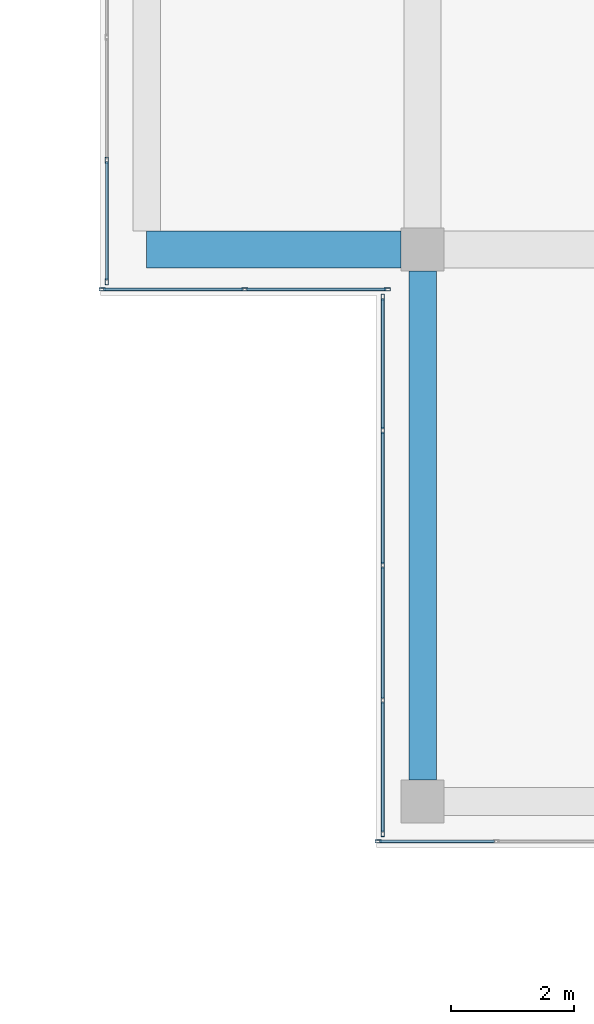
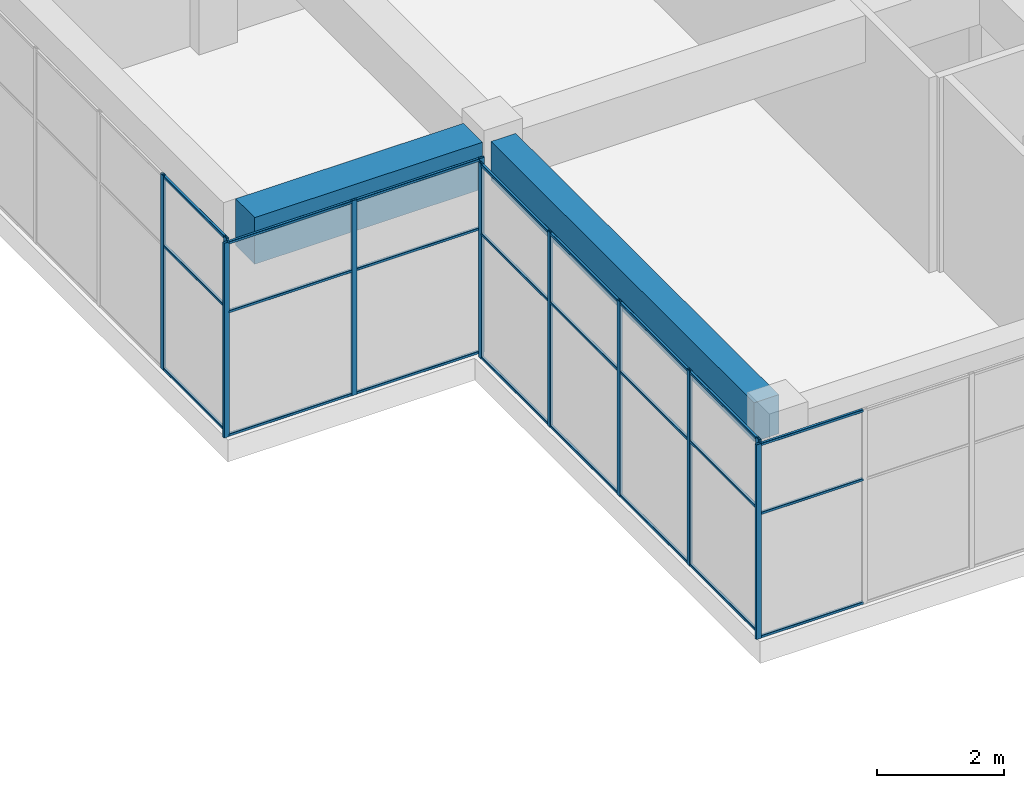
# One storey, part 12 of 49: 35 members, 2 beams, 4 elements without a shape of their own.
"""IFC4 building model written with IfcOpenShell, lengths in metres."""

from ifc_helpers import new_model, si_unit, direction, frame, origin, origin_2d, place, context, subcontext, project, spatial, rectangle, hollow_rectangle, extrude, material, layer, layer_set, material_profile, profile_set, type_object, element, aggregate, save


model = new_model("IFC4")

# Units and contexts
model_context = context("Model", 3, precision=1e-05, world=origin(), true_north=direction((0.0, 1.0)))
body_context = subcontext(model_context, "Body", "Model", "MODEL_VIEW")
ifc_project = project(units=[si_unit("LENGTHUNIT", "METRE"), si_unit("AREAUNIT", "SQUARE_METRE"), si_unit("VOLUMEUNIT", "CUBIC_METRE"), si_unit("PLANEANGLEUNIT", "RADIAN"), si_unit("MASSUNIT", "GRAM", prefix="KILO")], contexts=[model_context])

# Site, building, storey
site_placement = place(None, origin())
site = spatial("IfcSite", under=ifc_project, at=site_placement, CompositionType="ELEMENT")
building_placement = place(site_placement, origin())
building = spatial("IfcBuilding", under=site, at=building_placement, Name="Tuart Plaza Theatre", CompositionType="ELEMENT")
storey_placement = place(building_placement, frame((0.0, 0.0, 29.5)))
storey = spatial("IfcBuildingStorey", under=building, at=storey_placement, Name="L07", CompositionType="ELEMENT", Elevation=29.5)

# Beams
ifc_material_1 = material(Name="Concrete N40 (40 MPa)", Category="concrete")
ifc_material_profile_1 = material_profile(ifc_material_1, rectangle(XDim=0.449951171875, YDim=0.75, at=origin_2d()), Name="BEAM 450x750 Concrete N40 (40 MPa)")
ifc_profile_set_1 = profile_set([ifc_material_profile_1], Name="Concrete N40 (40 MPa)")
beam_type_1 = type_object("IfcBeamType", Name="BEAM 450x750 Concrete N40 (40 MPa)", PredefinedType="BEAM", material=ifc_profile_set_1)
beam_1_placement = place(storey_placement, frame((114.0, 56.35009765625, 3.375), z_axis=(0.0, 1.0, 0.0), x_axis=(-1.0, 0.0, 0.0)))
element("IfcBeam", 1, at=beam_1_placement, inside=storey, type_object=beam_type_1, Name="RB255", PredefinedType="BEAM", context=body_context, shape_type="SweptSolid", body=[
    extrude(rectangle(XDim=0.449951171875, YDim=0.75, at=origin_2d()), origin(), (0.0, 0.0, 1.0), 8.2998046875),
])
ifc_material_2 = material(Name="Concrete N40 (40 MPa)", Category="concrete")
ifc_material_profile_2 = material_profile(ifc_material_2, rectangle(XDim=0.60009765625, YDim=0.89990234375, at=origin_2d()), Name="BEAM 600x900 Concrete N40 (40 MPa)")
ifc_profile_set_2 = profile_set([ifc_material_profile_2], Name="Concrete N40 (40 MPa)")
beam_type_2 = type_object("IfcBeamType", Name="BEAM 600x900 Concrete N40 (40 MPa)", PredefinedType="BEAM", material=ifc_profile_set_2)
beam_2_placement = place(storey_placement, frame((109.5, 65.0, 3.300048828125), z_axis=(1.0, 0.0, 0.0), x_axis=(0.0, 1.0, 0.0)))
element("IfcBeam", 2, at=beam_2_placement, inside=storey, type_object=beam_type_2, Name="RB249", PredefinedType="BEAM", context=body_context, shape_type="SweptSolid", body=[
    extrude(rectangle(XDim=0.60009765625, YDim=0.89990234375, at=origin_2d()), origin(), (0.0, 0.0, 1.0), 4.14990234375),
])

# Curtain wall, member
ifc_material_3 = material(Name="Aluminium and glass", Category="aluminium")
ifc_layer = layer(ifc_material_3, 0.10009765625)
ifc_layer_set = layer_set([ifc_layer], Name="CURTAIN WALL 2000 module")
curtain_wall_type = type_object("IfcCurtainWallType", Name="CURTAIN WALL 2000 module", PredefinedType="NOTDEFINED", material=ifc_layer_set)
curtain_wall_1_placement = place(storey_placement, origin())
curtain_wall_1 = element("IfcCurtainWall", 3, at=curtain_wall_1_placement, inside=storey, type_object=curtain_wall_type, Name="CW88", PredefinedType="NOTDEFINED")
ifc_material_4 = material(Name="Aluminium 6063-T5", Category="aluminium")
ifc_material_profile_3 = material_profile(ifc_material_4, hollow_rectangle(XDim=0.050048828125, YDim=0.10009765625, WallThickness=0.00390625, InnerFilletRadius=0.00390625, OuterFilletRadius=0.008056640625, at=origin_2d()), Name="RHS 100x50x4")
ifc_profile_set_3 = profile_set([ifc_material_profile_3], Name="Aluminium 6063-T5")
member_type_1 = type_object("IfcMemberType", Name="MULLION RHS 100x50x4", PredefinedType="MULLION", material=ifc_profile_set_3)
member_1_placement = place(storey_placement, frame((113.27490234375, 55.35009765625, 0.0), z_axis=(0.0, 0.0, 1.0), x_axis=(0.0, 1.0, 0.0)))
member_1 = element("IfcMember", 4, at=member_1_placement, type_object=member_type_1, Name="CW88 mullion 1", PredefinedType="MULLION", context=body_context, shape_type="SweptSolid", body=[
    extrude(hollow_rectangle(XDim=0.050048828125, YDim=0.10009765625, WallThickness=0.00390625, InnerFilletRadius=0.00390625, OuterFilletRadius=0.008056640625, at=origin_2d()), origin(), (0.0, 0.0, 1.0), 3.75),
])

# Curtain wall, members
curtain_wall_2_placement = place(storey_placement, origin())
curtain_wall_2 = element("IfcCurtainWall", 5, at=curtain_wall_2_placement, inside=storey, type_object=curtain_wall_type, Name="CW97", PredefinedType="NOTDEFINED")
member_2_placement = place(storey_placement, frame((108.85009765625, 66.45703125, 0.0), z_axis=(0.0, 0.0, 1.0), x_axis=(1.0, 0.0, 0.0)))
member_2 = element("IfcMember", 6, at=member_2_placement, type_object=member_type_1, Name="CW97 mullion 14", PredefinedType="MULLION", context=body_context, shape_type="SweptSolid", body=[
    extrude(hollow_rectangle(XDim=0.050048828125, YDim=0.10009765625, WallThickness=0.00390625, InnerFilletRadius=0.00390625, OuterFilletRadius=0.008056640625, at=origin_2d()), origin(), (0.0, 0.0, 1.0), 3.75),
])
member_3_placement = place(storey_placement, frame((108.85009765625, 64.47509765625, 0.0), z_axis=(0.0, 0.0, 1.0), x_axis=(1.0, 0.0, 0.0)))
member_3 = element("IfcMember", 7, at=member_3_placement, type_object=member_type_1, Name="CW97 mullion 15", PredefinedType="MULLION", context=body_context, shape_type="SweptSolid", body=[
    extrude(hollow_rectangle(XDim=0.050048828125, YDim=0.10009765625, WallThickness=0.00390625, InnerFilletRadius=0.00390625, OuterFilletRadius=0.008056640625, at=origin_2d()), origin(), (0.0, 0.0, 1.0), 3.75),
])

curtain_wall_3_placement = place(storey_placement, origin())
curtain_wall_3 = element("IfcCurtainWall", 8, at=curtain_wall_3_placement, inside=storey, type_object=curtain_wall_type, Name="CW98", PredefinedType="NOTDEFINED")
member_4_placement = place(storey_placement, frame((108.77490234375, 64.35009765625, 0.0), z_axis=(0.0, 0.0, 1.0), x_axis=(0.0, 1.0, 0.0)))
member_4 = element("IfcMember", 9, at=member_4_placement, type_object=member_type_1, Name="CW98 mullion 1", PredefinedType="MULLION", context=body_context, shape_type="SweptSolid", body=[
    extrude(hollow_rectangle(XDim=0.050048828125, YDim=0.10009765625, WallThickness=0.00390625, InnerFilletRadius=0.00390625, OuterFilletRadius=0.008056640625, at=origin_2d()), origin(), (0.0, 0.0, 1.0), 3.75),
])
member_5_placement = place(storey_placement, frame((111.10009765625, 64.35009765625, 0.0), z_axis=(0.0, 0.0, 1.0), x_axis=(0.0, 1.0, 0.0)))
member_5 = element("IfcMember", 10, at=member_5_placement, type_object=member_type_1, Name="CW98 mullion 2", PredefinedType="MULLION", context=body_context, shape_type="SweptSolid", body=[
    extrude(hollow_rectangle(XDim=0.050048828125, YDim=0.10009765625, WallThickness=0.00390625, InnerFilletRadius=0.00390625, OuterFilletRadius=0.008056640625, at=origin_2d()), origin(), (0.0, 0.0, 1.0), 3.75),
])
member_6_placement = place(storey_placement, frame((113.425048828125, 64.35009765625, 0.0), z_axis=(0.0, 0.0, 1.0), x_axis=(0.0, 1.0, 0.0)))
member_6 = element("IfcMember", 11, at=member_6_placement, type_object=member_type_1, Name="CW98 mullion 3", PredefinedType="MULLION", context=body_context, shape_type="SweptSolid", body=[
    extrude(hollow_rectangle(XDim=0.050048828125, YDim=0.10009765625, WallThickness=0.00390625, InnerFilletRadius=0.00390625, OuterFilletRadius=0.008056640625, at=origin_2d()), origin(), (0.0, 0.0, 1.0), 3.75),
])

curtain_wall_4_placement = place(storey_placement, origin())
curtain_wall_4 = element("IfcCurtainWall", 12, at=curtain_wall_4_placement, inside=storey, type_object=curtain_wall_type, Name="CW99", PredefinedType="NOTDEFINED")
member_7_placement = place(storey_placement, frame((113.35009765625, 64.22509765625, 0.0), z_axis=(0.0, 0.0, 1.0), x_axis=(1.0, 0.0, 0.0)))
member_7 = element("IfcMember", 13, at=member_7_placement, type_object=member_type_1, Name="CW99 mullion 1", PredefinedType="MULLION", context=body_context, shape_type="SweptSolid", body=[
    extrude(hollow_rectangle(XDim=0.050048828125, YDim=0.10009765625, WallThickness=0.00390625, InnerFilletRadius=0.00390625, OuterFilletRadius=0.008056640625, at=origin_2d()), origin(), (0.0, 0.0, 1.0), 3.75),
])
member_8_placement = place(storey_placement, frame((113.35009765625, 62.050048828125, 0.0), z_axis=(0.0, 0.0, 1.0), x_axis=(1.0, 0.0, 0.0)))
member_8 = element("IfcMember", 14, at=member_8_placement, type_object=member_type_1, Name="CW99 mullion 2", PredefinedType="MULLION", context=body_context, shape_type="SweptSolid", body=[
    extrude(hollow_rectangle(XDim=0.050048828125, YDim=0.10009765625, WallThickness=0.00390625, InnerFilletRadius=0.00390625, OuterFilletRadius=0.008056640625, at=origin_2d()), origin(), (0.0, 0.0, 1.0), 3.75),
])
member_9_placement = place(storey_placement, frame((113.35009765625, 59.85009765625, 0.0), z_axis=(0.0, 0.0, 1.0), x_axis=(1.0, 0.0, 0.0)))
member_9 = element("IfcMember", 15, at=member_9_placement, type_object=member_type_1, Name="CW99 mullion 3", PredefinedType="MULLION", context=body_context, shape_type="SweptSolid", body=[
    extrude(hollow_rectangle(XDim=0.050048828125, YDim=0.10009765625, WallThickness=0.00390625, InnerFilletRadius=0.00390625, OuterFilletRadius=0.008056640625, at=origin_2d()), origin(), (0.0, 0.0, 1.0), 3.75),
])
member_10_placement = place(storey_placement, frame((113.35009765625, 57.64990234375, 0.0), z_axis=(0.0, 0.0, 1.0), x_axis=(1.0, 0.0, 0.0)))
member_10 = element("IfcMember", 16, at=member_10_placement, type_object=member_type_1, Name="CW99 mullion 4", PredefinedType="MULLION", context=body_context, shape_type="SweptSolid", body=[
    extrude(hollow_rectangle(XDim=0.050048828125, YDim=0.10009765625, WallThickness=0.00390625, InnerFilletRadius=0.00390625, OuterFilletRadius=0.008056640625, at=origin_2d()), origin(), (0.0, 0.0, 1.0), 3.75),
])
member_11_placement = place(storey_placement, frame((113.35009765625, 55.47509765625, 0.0), z_axis=(0.0, 0.0, 1.0), x_axis=(1.0, 0.0, 0.0)))
member_11 = element("IfcMember", 17, at=member_11_placement, type_object=member_type_1, Name="CW99 mullion 5", PredefinedType="MULLION", context=body_context, shape_type="SweptSolid", body=[
    extrude(hollow_rectangle(XDim=0.050048828125, YDim=0.10009765625, WallThickness=0.00390625, InnerFilletRadius=0.00390625, OuterFilletRadius=0.008056640625, at=origin_2d()), origin(), (0.0, 0.0, 1.0), 3.75),
])

# Member
ifc_material_5 = material(Name="Aluminium 6063-T5", Category="aluminium")
ifc_material_profile_4 = material_profile(ifc_material_5, hollow_rectangle(XDim=0.050048828125, YDim=0.050048828125, WallThickness=0.00390625, InnerFilletRadius=0.00390625, OuterFilletRadius=0.008056640625, at=origin_2d()), Name="RHS 50x50x4")
ifc_profile_set_4 = profile_set([ifc_material_profile_4], Name="Aluminium 6063-T5")
member_type_2 = type_object("IfcMemberType", Name="TRANSOM RHS 50x50x4", PredefinedType="USERDEFINED", material=ifc_profile_set_4)
member_12_placement = place(storey_placement, frame((113.300048828125, 55.35009765625, 0.02490234375), z_axis=(1.0, 0.0, 0.0), x_axis=(0.0, 1.0, 0.0)))
member_12 = element("IfcMember", 18, at=member_12_placement, type_object=member_type_2, Name="CW88 transom 1.1", ObjectType="TRANSOM", PredefinedType="USERDEFINED", context=body_context, shape_type="SweptSolid", body=[
    extrude(hollow_rectangle(XDim=0.050048828125, YDim=0.050048828125, WallThickness=0.00390625, InnerFilletRadius=0.00390625, OuterFilletRadius=0.008056640625, at=origin_2d()), origin(), (0.0, 0.0, 1.0), 1.875),
])

member_13_placement = place(storey_placement, frame((113.300048828125, 55.35009765625, 2.39990234375), z_axis=(1.0, 0.0, 0.0), x_axis=(0.0, 1.0, 0.0)))
member_13 = element("IfcMember", 19, at=member_13_placement, type_object=member_type_2, Name="CW88 transom 1.2", ObjectType="TRANSOM", PredefinedType="USERDEFINED", context=body_context, shape_type="SweptSolid", body=[
    extrude(hollow_rectangle(XDim=0.050048828125, YDim=0.050048828125, WallThickness=0.00390625, InnerFilletRadius=0.00390625, OuterFilletRadius=0.008056640625, at=origin_2d()), origin(), (0.0, 0.0, 1.0), 1.875),
])

member_14_placement = place(storey_placement, frame((113.300048828125, 55.35009765625, 3.72509765625), z_axis=(1.0, 0.0, 0.0), x_axis=(0.0, 1.0, 0.0)))
member_14 = element("IfcMember", 20, at=member_14_placement, type_object=member_type_2, Name="CW88 transom 1.3", ObjectType="TRANSOM", PredefinedType="USERDEFINED", context=body_context, shape_type="SweptSolid", body=[
    extrude(hollow_rectangle(XDim=0.050048828125, YDim=0.050048828125, WallThickness=0.00390625, InnerFilletRadius=0.00390625, OuterFilletRadius=0.008056640625, at=origin_2d()), origin(), (0.0, 0.0, 1.0), 1.875),
])

aggregate(curtain_wall_1, [member_1, member_12, member_13, member_14])

member_15_placement = place(storey_placement, frame((108.85009765625, 66.43212890625, 0.02490234375), z_axis=(0.0, -1.0, 0.0), x_axis=(1.0, 0.0, 0.0)))
member_15 = element("IfcMember", 21, at=member_15_placement, type_object=member_type_2, Name="CW97 transom 14.1", ObjectType="TRANSOM", PredefinedType="USERDEFINED", context=body_context, shape_type="SweptSolid", body=[
    extrude(hollow_rectangle(XDim=0.050048828125, YDim=0.050048828125, WallThickness=0.00390625, InnerFilletRadius=0.00390625, OuterFilletRadius=0.008056640625, at=origin_2d()), origin(), (0.0, 0.0, 1.0), 1.93212890625),
])

member_16_placement = place(storey_placement, frame((108.85009765625, 66.43212890625, 2.39990234375), z_axis=(0.0, -1.0, 0.0), x_axis=(1.0, 0.0, 0.0)))
member_16 = element("IfcMember", 22, at=member_16_placement, type_object=member_type_2, Name="CW97 transom 14.2", ObjectType="TRANSOM", PredefinedType="USERDEFINED", context=body_context, shape_type="SweptSolid", body=[
    extrude(hollow_rectangle(XDim=0.050048828125, YDim=0.050048828125, WallThickness=0.00390625, InnerFilletRadius=0.00390625, OuterFilletRadius=0.008056640625, at=origin_2d()), origin(), (0.0, 0.0, 1.0), 1.93212890625),
])

member_17_placement = place(storey_placement, frame((108.85009765625, 66.43212890625, 3.72509765625), z_axis=(0.0, -1.0, 0.0), x_axis=(1.0, 0.0, 0.0)))
member_17 = element("IfcMember", 23, at=member_17_placement, type_object=member_type_2, Name="CW97 transom 14.3", ObjectType="TRANSOM", PredefinedType="USERDEFINED", context=body_context, shape_type="SweptSolid", body=[
    extrude(hollow_rectangle(XDim=0.050048828125, YDim=0.050048828125, WallThickness=0.00390625, InnerFilletRadius=0.00390625, OuterFilletRadius=0.008056640625, at=origin_2d()), origin(), (0.0, 0.0, 1.0), 1.93212890625),
])

aggregate(curtain_wall_2, [member_2, member_3, member_15, member_16, member_17])

member_18_placement = place(storey_placement, frame((108.800048828125, 64.35009765625, 0.02490234375), z_axis=(1.0, 0.0, 0.0), x_axis=(0.0, 1.0, 0.0)))
member_18 = element("IfcMember", 24, at=member_18_placement, type_object=member_type_2, Name="CW98 transom 1.1", ObjectType="TRANSOM", PredefinedType="USERDEFINED", context=body_context, shape_type="SweptSolid", body=[
    extrude(hollow_rectangle(XDim=0.050048828125, YDim=0.050048828125, WallThickness=0.00390625, InnerFilletRadius=0.00390625, OuterFilletRadius=0.008056640625, at=origin_2d()), origin(), (0.0, 0.0, 1.0), 2.27490234375),
])

member_19_placement = place(storey_placement, frame((108.800048828125, 64.35009765625, 2.39990234375), z_axis=(1.0, 0.0, 0.0), x_axis=(0.0, 1.0, 0.0)))
member_19 = element("IfcMember", 25, at=member_19_placement, type_object=member_type_2, Name="CW98 transom 1.2", ObjectType="TRANSOM", PredefinedType="USERDEFINED", context=body_context, shape_type="SweptSolid", body=[
    extrude(hollow_rectangle(XDim=0.050048828125, YDim=0.050048828125, WallThickness=0.00390625, InnerFilletRadius=0.00390625, OuterFilletRadius=0.008056640625, at=origin_2d()), origin(), (0.0, 0.0, 1.0), 2.27490234375),
])

member_20_placement = place(storey_placement, frame((108.800048828125, 64.35009765625, 3.72509765625), z_axis=(1.0, 0.0, 0.0), x_axis=(0.0, 1.0, 0.0)))
member_20 = element("IfcMember", 26, at=member_20_placement, type_object=member_type_2, Name="CW98 transom 1.3", ObjectType="TRANSOM", PredefinedType="USERDEFINED", context=body_context, shape_type="SweptSolid", body=[
    extrude(hollow_rectangle(XDim=0.050048828125, YDim=0.050048828125, WallThickness=0.00390625, InnerFilletRadius=0.00390625, OuterFilletRadius=0.008056640625, at=origin_2d()), origin(), (0.0, 0.0, 1.0), 2.27490234375),
])

member_21_placement = place(storey_placement, frame((111.125, 64.35009765625, 0.02490234375), z_axis=(1.0, 0.0, 0.0), x_axis=(0.0, 1.0, 0.0)))
member_21 = element("IfcMember", 27, at=member_21_placement, type_object=member_type_2, Name="CW98 transom 2.1", ObjectType="TRANSOM", PredefinedType="USERDEFINED", context=body_context, shape_type="SweptSolid", body=[
    extrude(hollow_rectangle(XDim=0.050048828125, YDim=0.050048828125, WallThickness=0.00390625, InnerFilletRadius=0.00390625, OuterFilletRadius=0.008056640625, at=origin_2d()), origin(), (0.0, 0.0, 1.0), 2.27490234375),
])

member_22_placement = place(storey_placement, frame((111.125, 64.35009765625, 2.39990234375), z_axis=(1.0, 0.0, 0.0), x_axis=(0.0, 1.0, 0.0)))
member_22 = element("IfcMember", 28, at=member_22_placement, type_object=member_type_2, Name="CW98 transom 2.2", ObjectType="TRANSOM", PredefinedType="USERDEFINED", context=body_context, shape_type="SweptSolid", body=[
    extrude(hollow_rectangle(XDim=0.050048828125, YDim=0.050048828125, WallThickness=0.00390625, InnerFilletRadius=0.00390625, OuterFilletRadius=0.008056640625, at=origin_2d()), origin(), (0.0, 0.0, 1.0), 2.27490234375),
])

member_23_placement = place(storey_placement, frame((111.125, 64.35009765625, 3.72509765625), z_axis=(1.0, 0.0, 0.0), x_axis=(0.0, 1.0, 0.0)))
member_23 = element("IfcMember", 29, at=member_23_placement, type_object=member_type_2, Name="CW98 transom 2.3", ObjectType="TRANSOM", PredefinedType="USERDEFINED", context=body_context, shape_type="SweptSolid", body=[
    extrude(hollow_rectangle(XDim=0.050048828125, YDim=0.050048828125, WallThickness=0.00390625, InnerFilletRadius=0.00390625, OuterFilletRadius=0.008056640625, at=origin_2d()), origin(), (0.0, 0.0, 1.0), 2.27490234375),
])

aggregate(curtain_wall_3, [member_4, member_5, member_6, member_18, member_19, member_20, member_21, member_22, member_23])

member_24_placement = place(storey_placement, frame((113.35009765625, 64.199951171875, 0.02490234375), z_axis=(0.0, -1.0, 0.0), x_axis=(1.0, 0.0, 0.0)))
member_24 = element("IfcMember", 30, at=member_24_placement, type_object=member_type_2, Name="CW99 transom 1.1", ObjectType="TRANSOM", PredefinedType="USERDEFINED", context=body_context, shape_type="SweptSolid", body=[
    extrude(hollow_rectangle(XDim=0.050048828125, YDim=0.050048828125, WallThickness=0.00390625, InnerFilletRadius=0.00390625, OuterFilletRadius=0.008056640625, at=origin_2d()), origin(), (0.0, 0.0, 1.0), 2.125),
])

member_25_placement = place(storey_placement, frame((113.35009765625, 64.199951171875, 2.39990234375), z_axis=(0.0, -1.0, 0.0), x_axis=(1.0, 0.0, 0.0)))
member_25 = element("IfcMember", 31, at=member_25_placement, type_object=member_type_2, Name="CW99 transom 1.2", ObjectType="TRANSOM", PredefinedType="USERDEFINED", context=body_context, shape_type="SweptSolid", body=[
    extrude(hollow_rectangle(XDim=0.050048828125, YDim=0.050048828125, WallThickness=0.00390625, InnerFilletRadius=0.00390625, OuterFilletRadius=0.008056640625, at=origin_2d()), origin(), (0.0, 0.0, 1.0), 2.125),
])

member_26_placement = place(storey_placement, frame((113.35009765625, 64.199951171875, 3.72509765625), z_axis=(0.0, -1.0, 0.0), x_axis=(1.0, 0.0, 0.0)))
member_26 = element("IfcMember", 32, at=member_26_placement, type_object=member_type_2, Name="CW99 transom 1.3", ObjectType="TRANSOM", PredefinedType="USERDEFINED", context=body_context, shape_type="SweptSolid", body=[
    extrude(hollow_rectangle(XDim=0.050048828125, YDim=0.050048828125, WallThickness=0.00390625, InnerFilletRadius=0.00390625, OuterFilletRadius=0.008056640625, at=origin_2d()), origin(), (0.0, 0.0, 1.0), 2.125),
])

member_27_placement = place(storey_placement, frame((113.35009765625, 62.02490234375, 0.02490234375), z_axis=(0.0, -1.0, 0.0), x_axis=(1.0, 0.0, 0.0)))
member_27 = element("IfcMember", 33, at=member_27_placement, type_object=member_type_2, Name="CW99 transom 2.1", ObjectType="TRANSOM", PredefinedType="USERDEFINED", context=body_context, shape_type="SweptSolid", body=[
    extrude(hollow_rectangle(XDim=0.050048828125, YDim=0.050048828125, WallThickness=0.00390625, InnerFilletRadius=0.00390625, OuterFilletRadius=0.008056640625, at=origin_2d()), origin(), (0.0, 0.0, 1.0), 2.14990234375),
])

member_28_placement = place(storey_placement, frame((113.35009765625, 62.02490234375, 2.39990234375), z_axis=(0.0, -1.0, 0.0), x_axis=(1.0, 0.0, 0.0)))
member_28 = element("IfcMember", 34, at=member_28_placement, type_object=member_type_2, Name="CW99 transom 2.2", ObjectType="TRANSOM", PredefinedType="USERDEFINED", context=body_context, shape_type="SweptSolid", body=[
    extrude(hollow_rectangle(XDim=0.050048828125, YDim=0.050048828125, WallThickness=0.00390625, InnerFilletRadius=0.00390625, OuterFilletRadius=0.008056640625, at=origin_2d()), origin(), (0.0, 0.0, 1.0), 2.14990234375),
])

member_29_placement = place(storey_placement, frame((113.35009765625, 62.02490234375, 3.72509765625), z_axis=(0.0, -1.0, 0.0), x_axis=(1.0, 0.0, 0.0)))
member_29 = element("IfcMember", 35, at=member_29_placement, type_object=member_type_2, Name="CW99 transom 2.3", ObjectType="TRANSOM", PredefinedType="USERDEFINED", context=body_context, shape_type="SweptSolid", body=[
    extrude(hollow_rectangle(XDim=0.050048828125, YDim=0.050048828125, WallThickness=0.00390625, InnerFilletRadius=0.00390625, OuterFilletRadius=0.008056640625, at=origin_2d()), origin(), (0.0, 0.0, 1.0), 2.14990234375),
])

member_30_placement = place(storey_placement, frame((113.35009765625, 59.824951171875, 0.02490234375), z_axis=(0.0, -1.0, 0.0), x_axis=(1.0, 0.0, 0.0)))
member_30 = element("IfcMember", 36, at=member_30_placement, type_object=member_type_2, Name="CW99 transom 3.1", ObjectType="TRANSOM", PredefinedType="USERDEFINED", context=body_context, shape_type="SweptSolid", body=[
    extrude(hollow_rectangle(XDim=0.050048828125, YDim=0.050048828125, WallThickness=0.00390625, InnerFilletRadius=0.00390625, OuterFilletRadius=0.008056640625, at=origin_2d()), origin(), (0.0, 0.0, 1.0), 2.14990234375),
])

member_31_placement = place(storey_placement, frame((113.35009765625, 59.824951171875, 2.39990234375), z_axis=(0.0, -1.0, 0.0), x_axis=(1.0, 0.0, 0.0)))
member_31 = element("IfcMember", 37, at=member_31_placement, type_object=member_type_2, Name="CW99 transom 3.2", ObjectType="TRANSOM", PredefinedType="USERDEFINED", context=body_context, shape_type="SweptSolid", body=[
    extrude(hollow_rectangle(XDim=0.050048828125, YDim=0.050048828125, WallThickness=0.00390625, InnerFilletRadius=0.00390625, OuterFilletRadius=0.008056640625, at=origin_2d()), origin(), (0.0, 0.0, 1.0), 2.14990234375),
])

member_32_placement = place(storey_placement, frame((113.35009765625, 59.824951171875, 3.72509765625), z_axis=(0.0, -1.0, 0.0), x_axis=(1.0, 0.0, 0.0)))
member_32 = element("IfcMember", 38, at=member_32_placement, type_object=member_type_2, Name="CW99 transom 3.3", ObjectType="TRANSOM", PredefinedType="USERDEFINED", context=body_context, shape_type="SweptSolid", body=[
    extrude(hollow_rectangle(XDim=0.050048828125, YDim=0.050048828125, WallThickness=0.00390625, InnerFilletRadius=0.00390625, OuterFilletRadius=0.008056640625, at=origin_2d()), origin(), (0.0, 0.0, 1.0), 2.14990234375),
])

member_33_placement = place(storey_placement, frame((113.35009765625, 57.625, 0.02490234375), z_axis=(0.0, -1.0, 0.0), x_axis=(1.0, 0.0, 0.0)))
member_33 = element("IfcMember", 39, at=member_33_placement, type_object=member_type_2, Name="CW99 transom 4.1", ObjectType="TRANSOM", PredefinedType="USERDEFINED", context=body_context, shape_type="SweptSolid", body=[
    extrude(hollow_rectangle(XDim=0.050048828125, YDim=0.050048828125, WallThickness=0.00390625, InnerFilletRadius=0.00390625, OuterFilletRadius=0.008056640625, at=origin_2d()), origin(), (0.0, 0.0, 1.0), 2.125),
])

member_34_placement = place(storey_placement, frame((113.35009765625, 57.625, 2.39990234375), z_axis=(0.0, -1.0, 0.0), x_axis=(1.0, 0.0, 0.0)))
member_34 = element("IfcMember", 40, at=member_34_placement, type_object=member_type_2, Name="CW99 transom 4.2", ObjectType="TRANSOM", PredefinedType="USERDEFINED", context=body_context, shape_type="SweptSolid", body=[
    extrude(hollow_rectangle(XDim=0.050048828125, YDim=0.050048828125, WallThickness=0.00390625, InnerFilletRadius=0.00390625, OuterFilletRadius=0.008056640625, at=origin_2d()), origin(), (0.0, 0.0, 1.0), 2.125),
])

member_35_placement = place(storey_placement, frame((113.35009765625, 57.625, 3.72509765625), z_axis=(0.0, -1.0, 0.0), x_axis=(1.0, 0.0, 0.0)))
member_35 = element("IfcMember", 41, at=member_35_placement, type_object=member_type_2, Name="CW99 transom 4.3", ObjectType="TRANSOM", PredefinedType="USERDEFINED", context=body_context, shape_type="SweptSolid", body=[
    extrude(hollow_rectangle(XDim=0.050048828125, YDim=0.050048828125, WallThickness=0.00390625, InnerFilletRadius=0.00390625, OuterFilletRadius=0.008056640625, at=origin_2d()), origin(), (0.0, 0.0, 1.0), 2.125),
])

aggregate(curtain_wall_4, [member_7, member_8, member_9, member_10, member_11, member_24, member_25, member_26, member_27, member_28, member_29, member_30, member_31, member_32, member_33, member_34, member_35])

save(model, "model.ifc")
